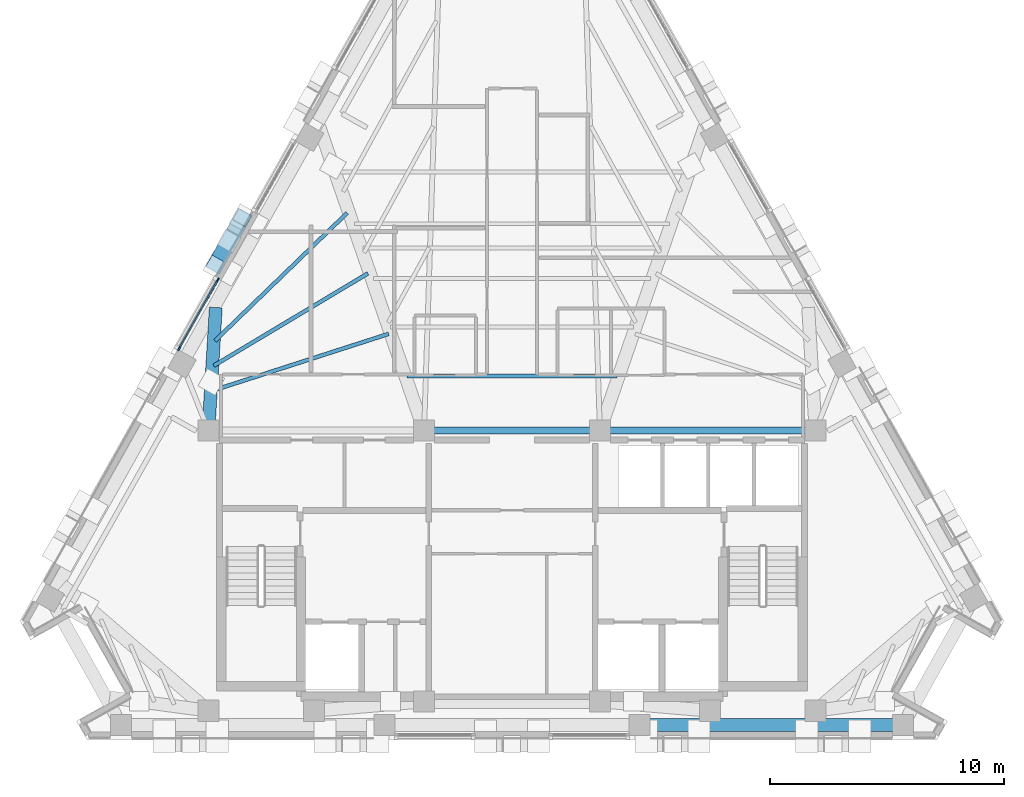
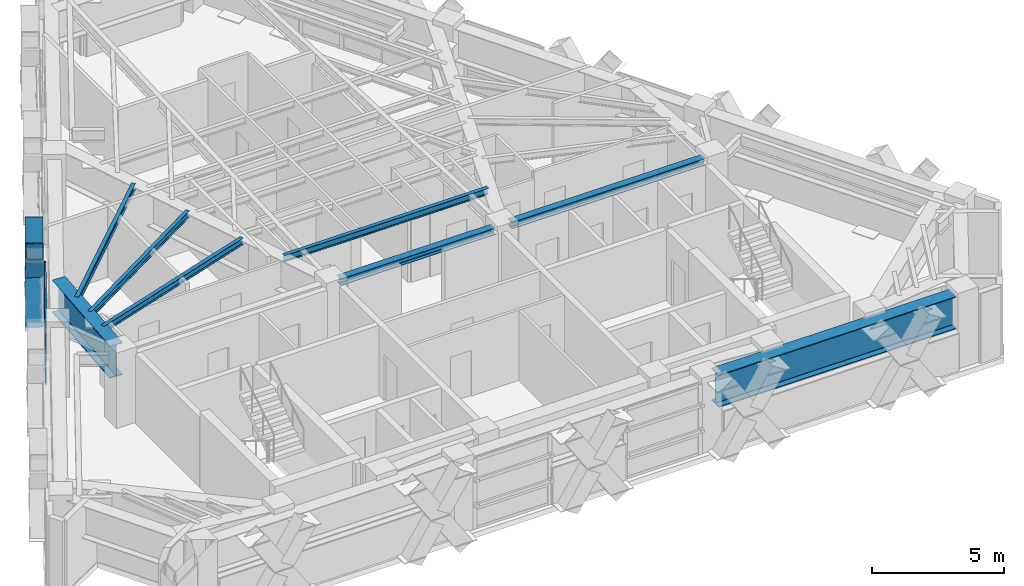
# One storey, part 3 of 13: 8 beams, 7 members, 1 element without a shape of its own.
"""IFC4 building model written with IfcOpenShell, lengths in metres."""

from ifc_helpers import new_model, si_unit, direction, frame, origin, origin_2d, place, context, subcontext, project, spatial, rectangle, hollow_rectangle, i_section, extrude, material, material_profile, profile_set, type_object, element, aggregate, save


model = new_model("IFC4")

# Units and contexts
model_context = context("Model", 3, precision=1e-05, world=origin(), true_north=direction((0.0, 1.0)))
body_context = subcontext(model_context, "Body", "Model", "MODEL_VIEW")
ifc_project = project(units=[si_unit("LENGTHUNIT", "METRE"), si_unit("AREAUNIT", "SQUARE_METRE"), si_unit("VOLUMEUNIT", "CUBIC_METRE"), si_unit("PLANEANGLEUNIT", "RADIAN"), si_unit("MASSUNIT", "GRAM", prefix="KILO")], contexts=[model_context])

# Site, building, storey
site_placement = place(None, origin())
site = spatial("IfcSite", under=ifc_project, at=site_placement, CompositionType="ELEMENT")
building_placement = place(site_placement, origin())
building = spatial("IfcBuilding", under=site, at=building_placement, Name="Quenlor Broadcast Tower", CompositionType="ELEMENT")
storey_placement = place(building_placement, frame((0.0, 0.0, 225.39990234375)))
storey = spatial("IfcBuildingStorey", under=building, at=storey_placement, Name="L62", CompositionType="ELEMENT", Elevation=225.39990234375)

# Curtain wall, members
ifc_material_1 = material(Name="Architectural Terracotta and Low-E Glazing", Category="masonry")
curtain_wall_type = type_object("IfcCurtainWallType", Name="Unitised Terracotta Curtain Wall System Z4", PredefinedType="NOTDEFINED", material=ifc_material_1)
curtain_wall_placement = place(storey_placement, origin())
curtain_wall = element("IfcCurtainWall", 1, at=curtain_wall_placement, inside=storey, type_object=curtain_wall_type, Name="L62 Curtain Wall CW4 (L62-NW-G1)", PredefinedType="NOTDEFINED")
ifc_material_2 = material(Name="Aluminium 6063-T6", Category="aluminium")
ifc_material_profile_1 = material_profile(ifc_material_2, rectangle(XDim=0.068115234375, YDim=0.179931640625, at=origin_2d()))
ifc_profile_set_1 = profile_set([ifc_material_profile_1], Name="Aluminium 6063-T6 MULL68x180")
member_type_1 = type_object("IfcMemberType", Name="CW4 Aluminium Mullion MULL_CW4", PredefinedType="MULLION", material=ifc_profile_set_1)
member_1_placement = place(storey_placement, frame((-14.20068359375, -1.3046875, 0.0), z_axis=(0.0, 0.0, 1.0), x_axis=(-0.871577871382, 0.490257089819, 0.0)))
member_1 = element("IfcMember", 2, at=member_1_placement, type_object=member_type_1, Name="CW4 mullion 1", PredefinedType="MULLION", context=body_context, shape_type="SweptSolid", body=[
    extrude(rectangle(XDim=0.068115234375, YDim=0.179931640625, at=origin_2d()), origin(), (0.0, 0.0, 1.0), 3.25),
])
member_2_placement = place(storey_placement, frame((-12.55126953125, 1.627685546875, 0.0), z_axis=(0.0, 0.0, 1.0), x_axis=(-0.871577871382, 0.490257089819, 0.0)))
member_2 = element("IfcMember", 3, at=member_2_placement, type_object=member_type_1, Name="CW4 mullion 2", PredefinedType="MULLION", context=body_context, shape_type="SweptSolid", body=[
    extrude(rectangle(XDim=0.068115234375, YDim=0.179931640625, at=origin_2d()), origin(), (0.0, 0.0, 1.0), 3.25),
])
ifc_material_3 = material(Name="Aluminium 6063-T6", Category="aluminium")
ifc_material_profile_2 = material_profile(ifc_material_3, rectangle(XDim=0.068115234375, YDim=0.14990234375, at=origin_2d()))
ifc_profile_set_2 = profile_set([ifc_material_profile_2], Name="Aluminium 6063-T6 TRAN68x150")
member_type_2 = type_object("IfcMemberType", Name="CW4 Aluminium Transom TRAN_CW4", PredefinedType="USERDEFINED", material=ifc_profile_set_2)
member_3_placement = place(storey_placement, frame((-14.18408203125, -1.275146484375, 0.0341796875), z_axis=(0.490233108043, 0.871591360546, 0.0), x_axis=(-0.871591360546, 0.490233108043, 0.0)))
member_3 = element("IfcMember", 4, at=member_3_placement, type_object=member_type_2, Name="CW4 transom 1.1", ObjectType="TRANSOM", PredefinedType="USERDEFINED", context=body_context, shape_type="SweptSolid", body=[
    extrude(rectangle(XDim=0.068115234375, YDim=0.14990234375, at=origin_2d()), origin(), (0.0, 0.0, 1.0), 3.29638671875),
])
member_4_placement = place(storey_placement, frame((-14.18408203125, -1.275146484375, 0.9501953125), z_axis=(0.490233108043, 0.871591360546, 0.0), x_axis=(-0.871591360546, 0.490233108043, 0.0)))
member_4 = element("IfcMember", 5, at=member_4_placement, type_object=member_type_2, Name="CW4 transom 1.2", ObjectType="TRANSOM", PredefinedType="USERDEFINED", context=body_context, shape_type="SweptSolid", body=[
    extrude(rectangle(XDim=0.068115234375, YDim=0.14990234375, at=origin_2d()), origin(), (0.0, 0.0, 1.0), 3.29638671875),
])
member_5_placement = place(storey_placement, frame((-14.18408203125, -1.275146484375, 3.216064453125), z_axis=(0.490233108043, 0.871591360546, 0.0), x_axis=(-0.871591360546, 0.490233108043, 0.0)))
member_5 = element("IfcMember", 6, at=member_5_placement, type_object=member_type_2, Name="CW4 transom 1.3", ObjectType="TRANSOM", PredefinedType="USERDEFINED", context=body_context, shape_type="SweptSolid", body=[
    extrude(rectangle(XDim=0.068115234375, YDim=0.14990234375, at=origin_2d()), origin(), (0.0, 0.0, 1.0), 3.29638671875),
])
aggregate(curtain_wall, [member_1, member_2, member_3, member_4, member_5])

# Beams
ifc_material_4 = material(Name="Steel S355", Category="steel")
ifc_material_profile_3 = material_profile(ifc_material_4, i_section(OverallWidth=0.304931640625, OverallDepth=0.30810546875, WebThickness=0.010009765625, FlangeThickness=0.015380859375, FilletRadius=0.0166015625, at=origin_2d()))
ifc_profile_set_3 = profile_set([ifc_material_profile_3], Name="Steel S355 310UC96.8")
beam_type_1 = type_object("IfcBeamType", Name="Core Header Beam Steel S355 310UC96.8", PredefinedType="BEAM", material=ifc_profile_set_3)
beam_1_placement = place(storey_placement, frame((-3.389892578125, -4.800048828125, 3.09619140625), z_axis=(1.0, 0.0, 0.0), x_axis=(0.0, 1.0, 0.0)))
element("IfcBeam", 7, at=beam_1_placement, inside=storey, type_object=beam_type_1, Name="L62 Core Header Beam 2", PredefinedType="BEAM", context=body_context, shape_type="SweptSolid", body=[
    extrude(i_section(OverallWidth=0.304931640625, OverallDepth=0.30810546875, WebThickness=0.010009765625, FlangeThickness=0.015380859375, FilletRadius=0.0166015625, at=origin_2d()), origin(), (0.0, 0.0, 1.0), 6.77978515625),
])
ifc_material_5 = material(Name="Steel S355", Category="steel")
ifc_material_profile_4 = material_profile(ifc_material_5, i_section(OverallWidth=0.306884765625, OverallDepth=0.314697265625, WebThickness=0.011962890625, FlangeThickness=0.018798828125, FilletRadius=0.0166015625, at=origin_2d()))
ifc_profile_set_4 = profile_set([ifc_material_profile_4], Name="Steel S355 310UC118")
beam_type_2 = type_object("IfcBeamType", Name="Core Tie Beam Steel S355 310UC118", PredefinedType="BEAM", material=ifc_profile_set_4)
beam_2_placement = place(storey_placement, frame((4.110107421875, -4.800048828125, 3.0927734375), z_axis=(1.0, 0.0, 0.0), x_axis=(0.0, 1.0, 0.0)))
element("IfcBeam", 8, at=beam_2_placement, inside=storey, type_object=beam_type_2, Name="L62 Core Tie Beam 3", PredefinedType="BEAM", context=body_context, shape_type="SweptSolid", body=[
    extrude(i_section(OverallWidth=0.306884765625, OverallDepth=0.314697265625, WebThickness=0.011962890625, FlangeThickness=0.018798828125, FilletRadius=0.0166015625, at=origin_2d()), origin(), (0.0, 0.0, 1.0), 8.47998046875),
])

# Members
ifc_material_6 = material(Name="Steel S355", Category="steel")
ifc_material_profile_5 = material_profile(ifc_material_6, hollow_rectangle(XDim=0.679931640625, YDim=0.679931640625, WallThickness=0.02490234375, at=origin_2d()))
ifc_profile_set_5 = profile_set([ifc_material_profile_5], Name="Steel S355 RHS680x680x25")
member_type_3 = type_object("IfcMemberType", Name="Perimeter Diagonal Lattice Brace Z3-Z4 Steel S355 RHS680x25", PredefinedType="BRACE", material=ifc_profile_set_5)
member_6_placement = place(storey_placement, frame((-12.6376953125, 2.279541015625, -0.119873046875), z_axis=(0.269493020061, 0.479144022478, 0.835340959047), x_axis=(-0.871595351467, 0.490226012469, 0.0)))
element("IfcMember", 9, at=member_6_placement, inside=storey, type_object=member_type_3, Name="L62 Perimeter Diamond Lattice NW-C3XA", PredefinedType="BRACE", context=body_context, shape_type="SweptSolid", body=[
    extrude(hollow_rectangle(XDim=0.679931640625, YDim=0.679931640625, WallThickness=0.02490234375, at=origin_2d()), origin(), (0.0, 0.0, 1.0), 4.18994140625),
])
member_7_placement = place(storey_placement, frame((-12.140380859375, 3.16357421875, 1.8388671875), z_axis=(-0.269535527865, -0.479130165145, 0.835335192642), x_axis=(0.871556252289, -0.490295522207, 0.0)))
element("IfcMember", 10, at=member_7_placement, inside=storey, type_object=member_type_3, Name="L62 Perimeter Diamond Lattice NW-C3XB2", PredefinedType="BRACE", context=body_context, shape_type="SweptSolid", body=[
    extrude(hollow_rectangle(XDim=0.679931640625, YDim=0.679931640625, WallThickness=0.02490234375, at=origin_2d()), origin(), (0.0, 0.0, 1.0), 1.844970703125),
])

# Beams
ifc_material_7 = material(Name="Steel S355", Category="steel")
ifc_material_profile_6 = material_profile(ifc_material_7, i_section(OverallWidth=0.166015625, OverallDepth=0.30712890625, WebThickness=0.006591796875, FlangeThickness=0.01171875, FilletRadius=0.011474609375, at=origin_2d()))
ifc_profile_set_6 = profile_set([ifc_material_profile_6], Name="Steel S355 310UB46.2")
beam_type_3 = type_object("IfcBeamType", Name="Tower Composite Joist Z4-Z5 Steel S355 310UB46.2", PredefinedType="JOIST", material=ifc_profile_set_6)
beam_3_placement = place(storey_placement, frame((-4.475341796875, -2.463623046875, 3.096435546875), z_axis=(1.0, 0.0, 0.0), x_axis=(0.0, 1.0, 0.0)))
element("IfcBeam", 11, at=beam_3_placement, inside=storey, type_object=beam_type_3, Name="L62 Secondary Composite Joist 1", PredefinedType="JOIST", context=body_context, shape_type="SweptSolid", body=[
    extrude(i_section(OverallWidth=0.166015625, OverallDepth=0.30712890625, WebThickness=0.006591796875, FlangeThickness=0.01171875, FilletRadius=0.011474609375, at=origin_2d()), origin(), (0.0, 0.0, 1.0), 8.95068359375),
])
beam_4_placement = place(storey_placement, frame((-12.77294921875, -3.0947265625, 3.096435546875), z_axis=(0.951732801746, 0.306927799459, 0.0), x_axis=(-0.306927799459, 0.951732801746, 0.0)))
element("IfcBeam", 12, at=beam_4_placement, inside=storey, type_object=beam_type_3, Name="L62 Secondary Composite Joist 7", PredefinedType="JOIST", context=body_context, shape_type="SweptSolid", body=[
    extrude(i_section(OverallWidth=0.166015625, OverallDepth=0.30712890625, WebThickness=0.006591796875, FlangeThickness=0.01171875, FilletRadius=0.011474609375, at=origin_2d()), origin(), (0.0, 0.0, 1.0), 7.896240234375),
])
beam_5_placement = place(storey_placement, frame((-12.71728515625, -2.02783203125, 3.096435546875), z_axis=(0.857914433604, 0.5137925891, 0.0), x_axis=(-0.5137925891, 0.857914433604, 0.0)))
element("IfcBeam", 13, at=beam_5_placement, inside=storey, type_object=beam_type_3, Name="L62 Secondary Composite Joist 8", PredefinedType="JOIST", context=body_context, shape_type="SweptSolid", body=[
    extrude(i_section(OverallWidth=0.166015625, OverallDepth=0.30712890625, WebThickness=0.006591796875, FlangeThickness=0.01171875, FilletRadius=0.011474609375, at=origin_2d()), origin(), (0.0, 0.0, 1.0), 7.66064453125),
])
beam_6_placement = place(storey_placement, frame((-12.665283203125, -0.962890625, 3.096435546875), z_axis=(0.718746160284, 0.695272577538, 0.0), x_axis=(-0.695272577538, 0.718746160284, 0.0)))
element("IfcBeam", 14, at=beam_6_placement, inside=storey, type_object=beam_type_3, Name="L62 Secondary Composite Joist 9", PredefinedType="JOIST", context=body_context, shape_type="SweptSolid", body=[
    extrude(i_section(OverallWidth=0.166015625, OverallDepth=0.30712890625, WebThickness=0.006591796875, FlangeThickness=0.01171875, FilletRadius=0.011474609375, at=origin_2d()), origin(), (0.0, 0.0, 1.0), 7.842041015625),
])
ifc_material_8 = material(Name="Steel S355", Category="steel")
ifc_material_profile_7 = material_profile(ifc_material_8, i_section(OverallWidth=0.550048828125, OverallDepth=1.5, WebThickness=0.02197265625, FlangeThickness=0.034912109375, FilletRadius=0.01806640625, at=origin_2d()))
ifc_profile_set_7 = profile_set([ifc_material_profile_7], Name="Steel S355 1500TG510")
beam_type_4 = type_object("IfcBeamType", Name="Zone Setback Transfer Girder Steel S355 1500", PredefinedType="BEAM", material=ifc_profile_set_7)
beam_7_placement = place(storey_placement, frame((5.847900390625, -17.35009765625, 2.5), z_axis=(1.0, 0.0, 0.0), x_axis=(0.0, 1.0, 0.0)))
element("IfcBeam", 15, at=beam_7_placement, inside=storey, type_object=beam_type_4, Name="L62 Spandrel Beam S3-S4", PredefinedType="BEAM", context=body_context, shape_type="SweptSolid", body=[
    extrude(i_section(OverallWidth=0.550048828125, OverallDepth=1.5, WebThickness=0.02197265625, FlangeThickness=0.034912109375, FilletRadius=0.01806640625, at=origin_2d()), origin(), (0.0, 0.0, 1.0), 10.41796875),
])
beam_8_placement = place(storey_placement, frame((-12.92724609375, -4.420654296875, 2.5), z_axis=(0.059965046968, 0.99820047743, 0.0), x_axis=(-0.99820047743, 0.059965046968, 0.0)))
element("IfcBeam", 16, at=beam_8_placement, inside=storey, type_object=beam_type_4, Name="L62 Setback Transfer Girder NW3", PredefinedType="BEAM", context=body_context, shape_type="SweptSolid", body=[
    extrude(i_section(OverallWidth=0.550048828125, OverallDepth=1.5, WebThickness=0.02197265625, FlangeThickness=0.034912109375, FilletRadius=0.01806640625, at=origin_2d()), origin(), (0.0, 0.0, 1.0), 4.881591796875),
])

save(model, "model.ifc")
